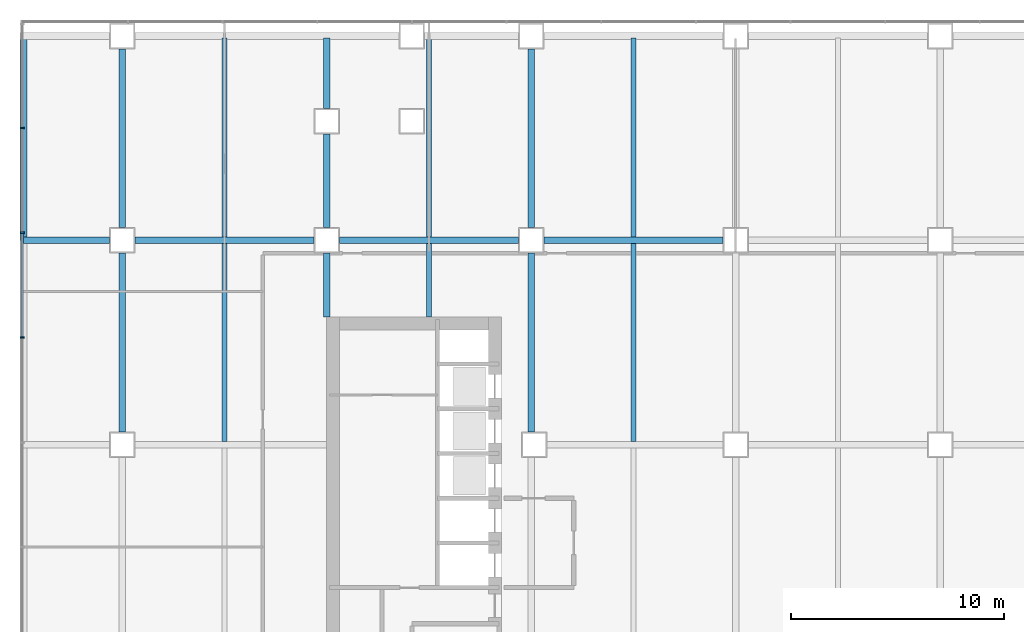
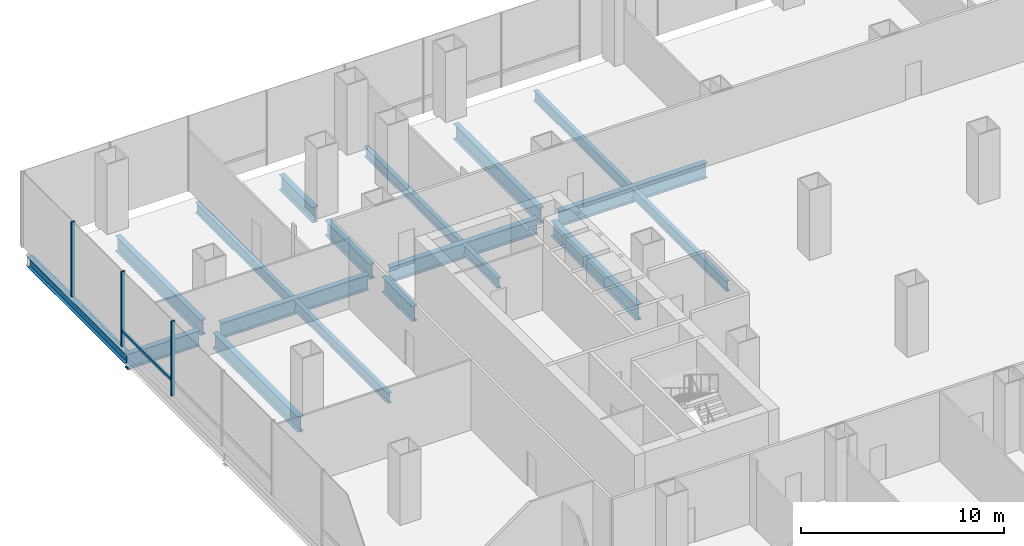
# One storey, part 8 of 23: 18 beams, 4 members, 1 element without a shape of its own.
"""IFC4 building model written with IfcOpenShell, lengths in metres."""

import ifcopenshell
import ifcopenshell.guid

model = None  # the IFC model being written
_history = None  # IfcOwnerHistory: only IFC2X3 demands one
_inside = {}  # id of a spatial element -> (the spatial element, [elements in it])
_under = {}  # id of a project, library or spatial element -> (it, [spatial elements below it])
_declared = {}  # id of a project -> (the project, [libraries it declares])
_typed = {}  # id of a type object -> (the type object, [elements of that type])
_made_of = {}  # id of a material, layer set ... -> (it, [elements and type objects made of it])


def new_model(schema):
    """Start an empty IFC model of exactly this schema.

    Asked for "IFC4X3", IfcOpenShell would pick the latest addendum, in which some entities
    have other attributes; the version numbers below select the first issue.
    IFC2X3 requires an IfcOwnerHistory on every rooted entity: one is made here for all.
    """
    global model, _history
    if schema == "IFC4X3":
        model = ifcopenshell.file(schema_version=(4, 3, 0, 0))
    else:
        model = ifcopenshell.file(schema=schema)
    _inside.clear()
    _under.clear()
    _declared.clear()
    _typed.clear()
    _made_of.clear()
    _history = None
    if model.schema == "IFC2X3":
        org = make("IfcOrganization", Name="unknown")
        user = make(
            "IfcPersonAndOrganization",
            ThePerson=make("IfcPerson", FamilyName="unknown"),
            TheOrganization=org,
        )
        app = make(
            "IfcApplication",
            ApplicationDeveloper=org,
            Version="unknown",
            ApplicationFullName="unknown",
            ApplicationIdentifier="unknown",
        )
        _history = make(
            "IfcOwnerHistory",
            OwningUser=user,
            OwningApplication=app,
            ChangeAction="ADDED",
            CreationDate=0,
        )
    return model


def make(cls, **values):
    """One entity of the class cls with the attributes given. An attribute that is None is left unset."""
    return model.create_entity(
        cls, **{name: value for name, value in values.items() if value is not None}
    )


def rooted(cls, **values):
    """An entity with a GlobalId (a new one), such as an element, a storey or a relation."""
    return make(cls, GlobalId=ifcopenshell.guid.new(), OwnerHistory=_history, **values)


def si_unit(unit_type, name, prefix=None):
    """IfcSIUnit, for example si_unit("LENGTHUNIT", "METRE", prefix="MILLI")."""
    return make("IfcSIUnit", UnitType=unit_type, Prefix=prefix, Name=name)


def assignment(units):
    """IfcUnitAssignment: the units of a project."""
    return None if units is None else make("IfcUnitAssignment", Units=units)


def point(xyz):
    """IfcCartesianPoint."""
    return None if xyz is None else make("IfcCartesianPoint", Coordinates=xyz)


def direction(xyz):
    """IfcDirection."""
    return None if xyz is None else make("IfcDirection", DirectionRatios=xyz)


def frame(location, z_axis=None, x_axis=None):
    """IfcAxis2Placement3D, a coordinate frame: its origin and axes. An axis left out is left unset."""
    return make(
        "IfcAxis2Placement3D",
        Location=point(location),
        Axis=direction(z_axis),
        RefDirection=direction(x_axis),
    )


def frame_2d(location, x_axis=None):
    """IfcAxis2Placement2D, a coordinate frame in the plane: its origin and x axis."""
    return make(
        "IfcAxis2Placement2D", Location=point(location), RefDirection=direction(x_axis)
    )


def origin():
    """The frame at (0, 0, 0) with its axes left unset."""
    return frame((0.0, 0.0, 0.0))


def origin_2d():
    """The frame at (0, 0) in the plane with its x axis left unset."""
    return frame_2d((0.0, 0.0))


def place(relative_to, where):
    """IfcLocalPlacement: puts the frame where relative to a parent placement (None: the world)."""
    return make(
        "IfcLocalPlacement", PlacementRelTo=relative_to, RelativePlacement=where
    )


def context(
    kind, dimensions, precision=None, world=None, true_north=None, identifier=None
):
    """IfcGeometricRepresentationContext, for example the 3D "Model" context."""
    return make(
        "IfcGeometricRepresentationContext",
        ContextIdentifier=identifier,
        ContextType=kind,
        CoordinateSpaceDimension=dimensions,
        Precision=precision,
        WorldCoordinateSystem=world,
        TrueNorth=true_north,
    )


def subcontext(parent, identifier, kind, view, scale=None):
    """IfcGeometricRepresentationSubContext, for example "Body" below "Model"."""
    return make(
        "IfcGeometricRepresentationSubContext",
        ContextIdentifier=identifier,
        ContextType=kind,
        ParentContext=parent,
        TargetScale=scale,
        TargetView=view,
    )


def project(units=None, contexts=None):
    """IfcProject with its units and contexts."""
    return rooted(
        "IfcProject",
        Name="project",
        RepresentationContexts=contexts,
        UnitsInContext=assignment(units),
    )


def spatial(cls, under=None, at=None, **own):
    """A site, building, storey or space (cls), placed at a placement, below another one or the project."""
    s = rooted(cls, ObjectPlacement=at, **own)
    if under is not None:
        _under.setdefault(under.id(), (under, []))[1].append(s)
    return s


def profile(cls, at=None, kind="AREA", **sizes):
    """A parametric profile (cls). Its sizes go by their IFC names, for example OverallWidth=200.0."""
    return make(cls, ProfileType=kind, Position=at, **sizes)


def rectangle(**sizes):
    """IfcRectangleProfileDef."""
    return profile("IfcRectangleProfileDef", **sizes)


def i_section(**sizes):
    """IfcIShapeProfileDef."""
    return profile("IfcIShapeProfileDef", **sizes)


def extrude(swept, where, along, depth):
    """IfcExtrudedAreaSolid: the profile swept, set in the frame where, extruded along a direction by depth."""
    return make(
        "IfcExtrudedAreaSolid",
        SweptArea=swept,
        Position=where,
        ExtrudedDirection=direction(along),
        Depth=depth,
    )


def shape(context_of_items, identifier, shape_type, items):
    """IfcShapeRepresentation: the items that make up one representation, for example the "Body"."""
    return make(
        "IfcShapeRepresentation",
        ContextOfItems=context_of_items,
        RepresentationIdentifier=identifier,
        RepresentationType=shape_type,
        Items=items,
    )


def material(Name=None, Category=None):
    """IfcMaterial."""
    return make("IfcMaterial", Name=Name, Category=Category)


def material_profile(
    of_material, cross_section, Name=None, Category=None, Priority=None
):
    """IfcMaterialProfile: a cross section and its material."""
    return make(
        "IfcMaterialProfile",
        Name=Name,
        Material=of_material,
        Profile=cross_section,
        Priority=Priority,
        Category=Category,
    )


def profile_set(profiles, Name=None, composite=None):
    """IfcMaterialProfileSet."""
    return make(
        "IfcMaterialProfileSet",
        Name=Name,
        MaterialProfiles=profiles,
        CompositeProfile=composite,
    )


def made_of(thing, what):
    """Note that an element or type object is made of a material, layer set ...; save() writes the relation."""
    if what is not None:
        _made_of.setdefault(what.id(), (what, []))[1].append(thing)
    return thing


def type_object(cls, material=None, **own):
    """A type object (cls), such as IfcWallType, which elements share."""
    return made_of(rooted(cls, **own), material)


def element(
    cls,
    number,
    at=None,
    inside=None,
    cuts=None,
    type_object=None,
    material=None,
    context=None,
    identifier="Body",
    shape_type=None,
    held_by="IfcProductDefinitionShape",
    body=None,
    shapes=None,
    **own,
):
    """One element of the class cls, such as IfcWall. Its Tag is "e" and its number.

    at: its placement. inside: the storey or other place that contains it. cuts: it is an
    opening in that element (IfcRelVoidsElement). A single representation is given by context,
    identifier, shape_type and body (its items); several are given by shapes. held_by: the class
    of the entity that holds the representations. save() writes the other relations.
    """
    e = rooted(cls, Tag="e%d" % number, ObjectPlacement=at, **own)
    if body is not None:
        shapes = [shape(context, identifier, shape_type, body)]
    if shapes is not None:
        e.Representation = make(held_by, Representations=shapes)
    if inside is not None:
        _inside.setdefault(inside.id(), (inside, []))[1].append(e)
    if cuts is not None:
        rooted(
            "IfcRelVoidsElement", RelatingBuildingElement=cuts, RelatedOpeningElement=e
        )
    if type_object is not None:
        _typed.setdefault(type_object.id(), (type_object, []))[1].append(e)
    return made_of(e, material)


def aggregate(whole, parts):
    """IfcRelAggregates: a whole, such as a stair, and the parts it consists of."""
    return rooted("IfcRelAggregates", RelatingObject=whole, RelatedObjects=parts)


def save(model, path):
    """Write the relations noted so far, then the file.

    IfcRelAggregates (storeys below a building ...), IfcRelContainedInSpatialStructure (elements
    in a storey), IfcRelDefinesByType, IfcRelAssociatesMaterial and IfcRelDeclares: one each for
    every whole, place, type object, material and project.
    """
    for whole, parts in _under.values():
        aggregate(whole, parts)
    for where, things in _inside.values():
        rooted(
            "IfcRelContainedInSpatialStructure",
            RelatedElements=things,
            RelatingStructure=where,
        )
    for kind, things in _typed.values():
        rooted("IfcRelDefinesByType", RelatedObjects=things, RelatingType=kind)
    for what, things in _made_of.values():
        rooted("IfcRelAssociatesMaterial", RelatedObjects=things, RelatingMaterial=what)
    for by, libraries in _declared.values():
        rooted("IfcRelDeclares", RelatingContext=by, RelatedDefinitions=libraries)
    model.write(path)


model = new_model("IFC4")

# Units and contexts
model_context = context("Model", 3, precision=1e-05, world=origin(), true_north=direction((0.0, 1.0)))
body_context = subcontext(model_context, "Body", "Model", "MODEL_VIEW")
ifc_project = project(units=[si_unit("LENGTHUNIT", "METRE"), si_unit("AREAUNIT", "SQUARE_METRE"), si_unit("VOLUMEUNIT", "CUBIC_METRE"), si_unit("PLANEANGLEUNIT", "RADIAN"), si_unit("MASSUNIT", "GRAM", prefix="KILO")], contexts=[model_context])

# Site, building, storey
site_placement = place(None, origin())
site = spatial("IfcSite", under=ifc_project, at=site_placement, CompositionType="ELEMENT")
building_placement = place(site_placement, origin())
building = spatial("IfcBuilding", under=site, at=building_placement, Name="Cobrizo Arcos Hotel Tower", CompositionType="ELEMENT")
storey_placement = place(building_placement, frame((0.0, 0.0, 29.0)))
storey = spatial("IfcBuildingStorey", under=building, at=storey_placement, Name="L05", CompositionType="ELEMENT", Elevation=29.0)

# Curtain wall, members
ifc_material_1 = material(Name="Aluminium 6063-T6 anodised bronze", Category="aluminium")
curtain_wall_type = type_object("IfcCurtainWallType", Name="CW-B podium glazing", PredefinedType="NOTDEFINED", material=ifc_material_1)
curtain_wall_placement = place(storey_placement, origin())
curtain_wall = element("IfcCurtainWall", 1, at=curtain_wall_placement, inside=storey, type_object=curtain_wall_type, Name="CW-B L05 W face", PredefinedType="NOTDEFINED")
ifc_material_profile_1 = material_profile(ifc_material_1, rectangle(XDim=0.199951171875, YDim=0.080078125, at=origin_2d()), Name="CW-B mullion 200x80")
ifc_profile_set_1 = profile_set([ifc_material_profile_1], Name="Aluminium 6063-T6 anodised bronze")
member_type_1 = type_object("IfcMemberType", Name="CW-B mullion 200x80", PredefinedType="MULLION", material=ifc_profile_set_1)
member_1_placement = place(storey_placement, frame((-38.300048828125, 19.679931640625, 0.0), z_axis=(0.0, 0.0, 1.0), x_axis=(-1.0, 0.0, 0.0)))
member_1 = element("IfcMember", 2, at=member_1_placement, type_object=member_type_1, Name="CW-B mullion 2", PredefinedType="MULLION", context=body_context, shape_type="SweptSolid", body=[
    extrude(rectangle(XDim=0.199951171875, YDim=0.080078125, at=origin_2d()), origin(), (0.0, 0.0, 1.0), 4.5),
])
member_2_placement = place(storey_placement, frame((-38.300048828125, 14.760009765625, 0.0), z_axis=(0.0, 0.0, 1.0), x_axis=(-1.0, 0.0, 0.0)))
member_2 = element("IfcMember", 3, at=member_2_placement, type_object=member_type_1, Name="CW-B mullion 3", PredefinedType="MULLION", context=body_context, shape_type="SweptSolid", body=[
    extrude(rectangle(XDim=0.199951171875, YDim=0.080078125, at=origin_2d()), origin(), (0.0, 0.0, 1.0), 4.5),
])
member_3_placement = place(storey_placement, frame((-38.300048828125, 9.840087890625, 0.0), z_axis=(0.0, 0.0, 1.0), x_axis=(-1.0, 0.0, 0.0)))
member_3 = element("IfcMember", 4, at=member_3_placement, type_object=member_type_1, Name="CW-B mullion 4", PredefinedType="MULLION", context=body_context, shape_type="SweptSolid", body=[
    extrude(rectangle(XDim=0.199951171875, YDim=0.080078125, at=origin_2d()), origin(), (0.0, 0.0, 1.0), 4.5),
])
ifc_material_profile_2 = material_profile(ifc_material_1, rectangle(XDim=0.1201171875, YDim=0.159912109375, at=origin_2d()), Name="CW-B transom 160x120")
ifc_profile_set_2 = profile_set([ifc_material_profile_2], Name="Aluminium 6063-T6 anodised bronze")
member_type_2 = type_object("IfcMemberType", Name="CW-B transom 160x120", PredefinedType="USERDEFINED", material=ifc_profile_set_2)
member_4_placement = place(storey_placement, frame((-38.300048828125, 14.719970703125, 0.89990234375), z_axis=(0.0, -1.0, 0.0), x_axis=(1.0, 0.0, 0.0)))
member_4 = element("IfcMember", 5, at=member_4_placement, type_object=member_type_2, Name="CW-B transom 298", ObjectType="TRANSOM", PredefinedType="USERDEFINED", context=body_context, shape_type="SweptSolid", body=[
    extrude(rectangle(XDim=0.1201171875, YDim=0.159912109375, at=origin_2d()), origin(), (0.0, 0.0, 1.0), 4.840087890625),
])
aggregate(curtain_wall, [member_1, member_2, member_3, member_4])

# Beams
ifc_material_2 = material(Name="Steel ASTM A992 Grade 50", Category="steel")
ifc_material_profile_3 = material_profile(ifc_material_2, i_section(OverallWidth=0.32763671875, OverallDepth=0.622314453125, WebThickness=0.015380859375, FlangeThickness=0.0244140625, at=origin_2d()), Name="W24X131")
ifc_profile_set_3 = profile_set([ifc_material_profile_3], Name="Steel ASTM A992 Grade 50")
beam_type_1 = type_object("IfcBeamType", Name="W24X131 edge beam", PredefinedType="BEAM", material=ifc_profile_set_3)
beam_1_placement = place(storey_placement, frame((-38.236083984375, 24.0, -0.51123046875), z_axis=(0.0, -1.0, 0.0), x_axis=(1.0, 0.0, 0.0)))
element("IfcBeam", 6, at=beam_1_placement, inside=storey, type_object=beam_type_1, Name="Edge beam EB1, L05, no. 008", PredefinedType="BEAM", context=body_context, shape_type="SweptSolid", body=[
    extrude(i_section(OverallWidth=0.32763671875, OverallDepth=0.622314453125, WebThickness=0.015380859375, FlangeThickness=0.0244140625, at=origin_2d()), origin(), (0.0, 0.0, 1.0), 9.60009765625),
])
ifc_material_profile_4 = material_profile(ifc_material_2, i_section(OverallWidth=0.23046875, OverallDepth=0.6171875, WebThickness=0.01318359375, FlangeThickness=0.022216796875, at=origin_2d()), Name="W24X94")
ifc_profile_set_4 = profile_set([ifc_material_profile_4], Name="Steel ASTM A992 Grade 50")
beam_type_2 = type_object("IfcBeamType", Name="W24X94 podium joist", PredefinedType="JOIST", material=ifc_profile_set_4)
beam_2_placement = place(storey_placement, frame((-28.800048828125, 4.95361328125, -0.508544921875), z_axis=(0.0, 1.0, 0.0), x_axis=(-1.0, 0.0, 0.0)))
element("IfcBeam", 7, at=beam_2_placement, inside=storey, type_object=beam_type_2, Name="Podium joist PJ1, L05, no. 004", PredefinedType="JOIST", context=body_context, shape_type="SweptSolid", body=[
    extrude(i_section(OverallWidth=0.23046875, OverallDepth=0.6171875, WebThickness=0.01318359375, FlangeThickness=0.022216796875, at=origin_2d()), origin(), (0.0, 0.0, 1.0), 9.292724609375),
])
beam_3_placement = place(storey_placement, frame((-28.800048828125, 14.5537109375, -0.508544921875), z_axis=(0.0, 1.0, 0.0), x_axis=(-1.0, 0.0, 0.0)))
element("IfcBeam", 8, at=beam_3_placement, inside=storey, type_object=beam_type_2, Name="Podium joist PJ1, L05, no. 005", PredefinedType="JOIST", context=body_context, shape_type="SweptSolid", body=[
    extrude(i_section(OverallWidth=0.23046875, OverallDepth=0.6171875, WebThickness=0.01318359375, FlangeThickness=0.022216796875, at=origin_2d()), origin(), (0.0, 0.0, 1.0), 9.356201171875),
])
beam_4_placement = place(storey_placement, frame((-19.199951171875, 10.81005859375, -0.508544921875), z_axis=(0.0, 1.0, 0.0), x_axis=(-1.0, 0.0, 0.0)))
element("IfcBeam", 9, at=beam_4_placement, inside=storey, type_object=beam_type_2, Name="Podium joist PJ1, L05, no. 008", PredefinedType="JOIST", context=body_context, shape_type="SweptSolid", body=[
    extrude(i_section(OverallWidth=0.23046875, OverallDepth=0.6171875, WebThickness=0.01318359375, FlangeThickness=0.022216796875, at=origin_2d()), origin(), (0.0, 0.0, 1.0), 3.436279296875),
])
beam_5_placement = place(storey_placement, frame((-19.199951171875, 14.5537109375, -0.508544921875), z_axis=(0.0, 1.0, 0.0), x_axis=(-1.0, 0.0, 0.0)))
element("IfcBeam", 10, at=beam_5_placement, inside=storey, type_object=beam_type_2, Name="Podium joist PJ1, L05, no. 009", PredefinedType="JOIST", context=body_context, shape_type="SweptSolid", body=[
    extrude(i_section(OverallWidth=0.23046875, OverallDepth=0.6171875, WebThickness=0.01318359375, FlangeThickness=0.022216796875, at=origin_2d()), origin(), (0.0, 0.0, 1.0), 9.356201171875),
])
beam_6_placement = place(storey_placement, frame((-9.60009765625, 4.95361328125, -0.508544921875), z_axis=(0.0, 1.0, 0.0), x_axis=(-1.0, 0.0, 0.0)))
element("IfcBeam", 11, at=beam_6_placement, inside=storey, type_object=beam_type_2, Name="Podium joist PJ1, L05, no. 013", PredefinedType="JOIST", context=body_context, shape_type="SweptSolid", body=[
    extrude(i_section(OverallWidth=0.23046875, OverallDepth=0.6171875, WebThickness=0.01318359375, FlangeThickness=0.022216796875, at=origin_2d()), origin(), (0.0, 0.0, 1.0), 9.292724609375),
])
beam_7_placement = place(storey_placement, frame((-9.60009765625, 14.5537109375, -0.508544921875), z_axis=(0.0, 1.0, 0.0), x_axis=(-1.0, 0.0, 0.0)))
element("IfcBeam", 12, at=beam_7_placement, inside=storey, type_object=beam_type_2, Name="Podium joist PJ1, L05, no. 014", PredefinedType="JOIST", context=body_context, shape_type="SweptSolid", body=[
    extrude(i_section(OverallWidth=0.23046875, OverallDepth=0.6171875, WebThickness=0.01318359375, FlangeThickness=0.022216796875, at=origin_2d()), origin(), (0.0, 0.0, 1.0), 9.356201171875),
])
ifc_material_profile_5 = material_profile(ifc_material_2, i_section(OverallWidth=0.307373046875, OverallDepth=0.927001953125, WebThickness=0.01953125, FlangeThickness=0.031982421875, at=origin_2d()), Name="W36X194")
ifc_profile_set_5 = profile_set([ifc_material_profile_5], Name="Steel ASTM A992 Grade 50")
beam_type_3 = type_object("IfcBeamType", Name="W36X194 podium girder", PredefinedType="BEAM", material=ifc_profile_set_5)
beam_8_placement = place(storey_placement, frame((-38.31005859375, 14.39990234375, -0.66357421875), z_axis=(1.0, 0.0, 0.0), x_axis=(0.0, 1.0, 0.0)))
element("IfcBeam", 13, at=beam_8_placement, inside=storey, type_object=beam_type_3, Name="Podium girder PG1, L05, no. 026", PredefinedType="BEAM", context=body_context, shape_type="SweptSolid", body=[
    extrude(i_section(OverallWidth=0.307373046875, OverallDepth=0.927001953125, WebThickness=0.01953125, FlangeThickness=0.031982421875, at=origin_2d()), origin(), (0.0, 0.0, 1.0), 4.110107421875),
])
for number, where, z_axis, x_axis, name in (
    (14, (-33.0, 14.39990234375, -0.66357421875), (1.0, 0.0, 0.0), (0.0, 1.0, 0.0), "Podium girder PG1, L05, no. 027"),
    (15, (-23.39990234375, 14.39990234375, -0.66357421875), (1.0, 0.0, 0.0), (0.0, 1.0, 0.0), "Podium girder PG1, L05, no. 028"),
):
    element("IfcBeam", number, at=place(storey_placement, frame(where, z_axis=z_axis, x_axis=x_axis)), inside=storey, type_object=beam_type_3, Name=name, PredefinedType="BEAM", context=body_context, shape_type="SweptSolid", body=[
        extrude(i_section(OverallWidth=0.307373046875, OverallDepth=0.927001953125, WebThickness=0.01953125, FlangeThickness=0.031982421875, at=origin_2d()), origin(), (0.0, 0.0, 1.0), 8.39990234375),
    ])
for number, where, z_axis, x_axis, name in (
    (16, (-13.800048828125, 14.39990234375, -0.66357421875), (1.0, 0.0, 0.0), (0.0, 1.0, 0.0), "Podium girder PG1, L05, no. 029"),
    (17, (-33.60009765625, 5.39990234375, -0.66357421875), (0.0, 1.0, 0.0), (-1.0, 0.0, 0.0), "Podium girder PG1, L05, no. 038"),
):
    element("IfcBeam", number, at=place(storey_placement, frame(where, z_axis=z_axis, x_axis=x_axis)), inside=storey, type_object=beam_type_3, Name=name, PredefinedType="BEAM", context=body_context, shape_type="SweptSolid", body=[
        extrude(i_section(OverallWidth=0.307373046875, OverallDepth=0.927001953125, WebThickness=0.01953125, FlangeThickness=0.031982421875, at=origin_2d()), origin(), (0.0, 0.0, 1.0), 8.400146484375),
    ])
beam_9_placement = place(storey_placement, frame((-33.60009765625, 15.0, -0.66357421875), z_axis=(0.0, 1.0, 0.0), x_axis=(-1.0, 0.0, 0.0)))
element("IfcBeam", 18, at=beam_9_placement, inside=storey, type_object=beam_type_3, Name="Podium girder PG1, L05, no. 039", PredefinedType="BEAM", context=body_context, shape_type="SweptSolid", body=[
    extrude(i_section(OverallWidth=0.307373046875, OverallDepth=0.927001953125, WebThickness=0.01953125, FlangeThickness=0.031982421875, at=origin_2d()), origin(), (0.0, 0.0, 1.0), 8.39990234375),
])
beam_10_placement = place(storey_placement, frame((-24.0, 10.81005859375, -0.66357421875), z_axis=(0.0, 1.0, 0.0), x_axis=(-1.0, 0.0, 0.0)))
element("IfcBeam", 19, at=beam_10_placement, inside=storey, type_object=beam_type_3, Name="Podium girder PG1, L05, no. 043", PredefinedType="BEAM", context=body_context, shape_type="SweptSolid", body=[
    extrude(i_section(OverallWidth=0.307373046875, OverallDepth=0.927001953125, WebThickness=0.01953125, FlangeThickness=0.031982421875, at=origin_2d()), origin(), (0.0, 0.0, 1.0), 2.989990234375),
])
beam_11_placement = place(storey_placement, frame((-24.0, 15.0, -0.66357421875), z_axis=(0.0, 1.0, 0.0), x_axis=(-1.0, 0.0, 0.0)))
element("IfcBeam", 20, at=beam_11_placement, inside=storey, type_object=beam_type_3, Name="Podium girder PG1, L05, no. 044", PredefinedType="BEAM", context=body_context, shape_type="SweptSolid", body=[
    extrude(i_section(OverallWidth=0.307373046875, OverallDepth=0.927001953125, WebThickness=0.01953125, FlangeThickness=0.031982421875, at=origin_2d()), origin(), (0.0, 0.0, 1.0), 4.39990234375),
])
beam_12_placement = place(storey_placement, frame((-24.0, 20.60009765625, -0.66357421875), z_axis=(0.0, 1.0, 0.0), x_axis=(-1.0, 0.0, 0.0)))
element("IfcBeam", 21, at=beam_12_placement, inside=storey, type_object=beam_type_3, Name="Podium girder PG1, L05, no. 045", PredefinedType="BEAM", context=body_context, shape_type="SweptSolid", body=[
    extrude(i_section(OverallWidth=0.307373046875, OverallDepth=0.927001953125, WebThickness=0.01953125, FlangeThickness=0.031982421875, at=origin_2d()), origin(), (0.0, 0.0, 1.0), 3.309814453125),
])
beam_13_placement = place(storey_placement, frame((-14.39990234375, 5.39990234375, -0.66357421875), z_axis=(0.0, 1.0, 0.0), x_axis=(-1.0, 0.0, 0.0)))
element("IfcBeam", 22, at=beam_13_placement, inside=storey, type_object=beam_type_3, Name="Podium girder PG1, L05, no. 049", PredefinedType="BEAM", context=body_context, shape_type="SweptSolid", body=[
    extrude(i_section(OverallWidth=0.307373046875, OverallDepth=0.927001953125, WebThickness=0.01953125, FlangeThickness=0.031982421875, at=origin_2d()), origin(), (0.0, 0.0, 1.0), 8.400146484375),
])
beam_14_placement = place(storey_placement, frame((-14.39990234375, 15.0, -0.66357421875), z_axis=(0.0, 1.0, 0.0), x_axis=(-1.0, 0.0, 0.0)))
element("IfcBeam", 23, at=beam_14_placement, inside=storey, type_object=beam_type_3, Name="Podium girder PG1, L05, no. 050", PredefinedType="BEAM", context=body_context, shape_type="SweptSolid", body=[
    extrude(i_section(OverallWidth=0.307373046875, OverallDepth=0.927001953125, WebThickness=0.01953125, FlangeThickness=0.031982421875, at=origin_2d()), origin(), (0.0, 0.0, 1.0), 8.39990234375),
])

save(model, "model.ifc")
